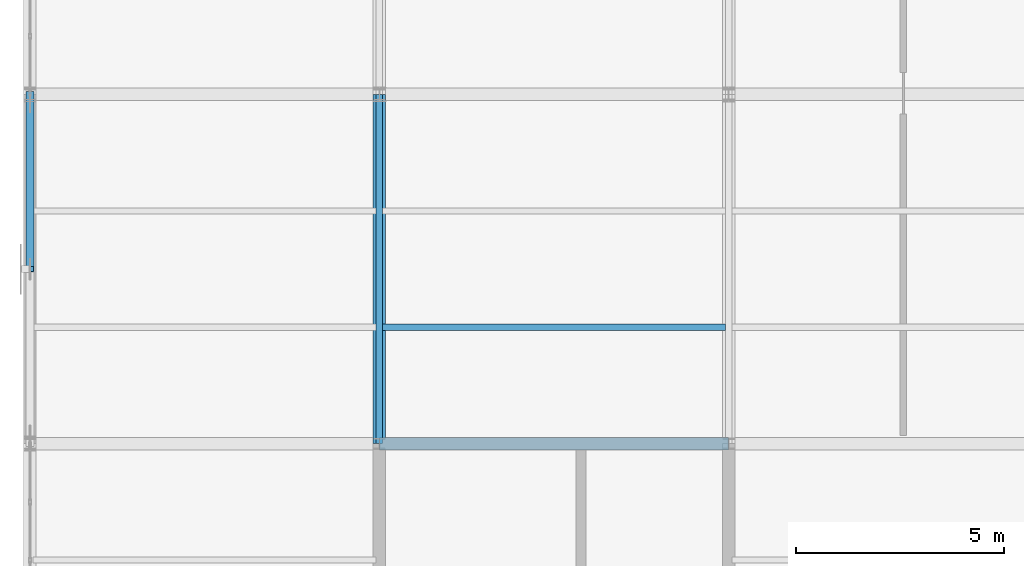
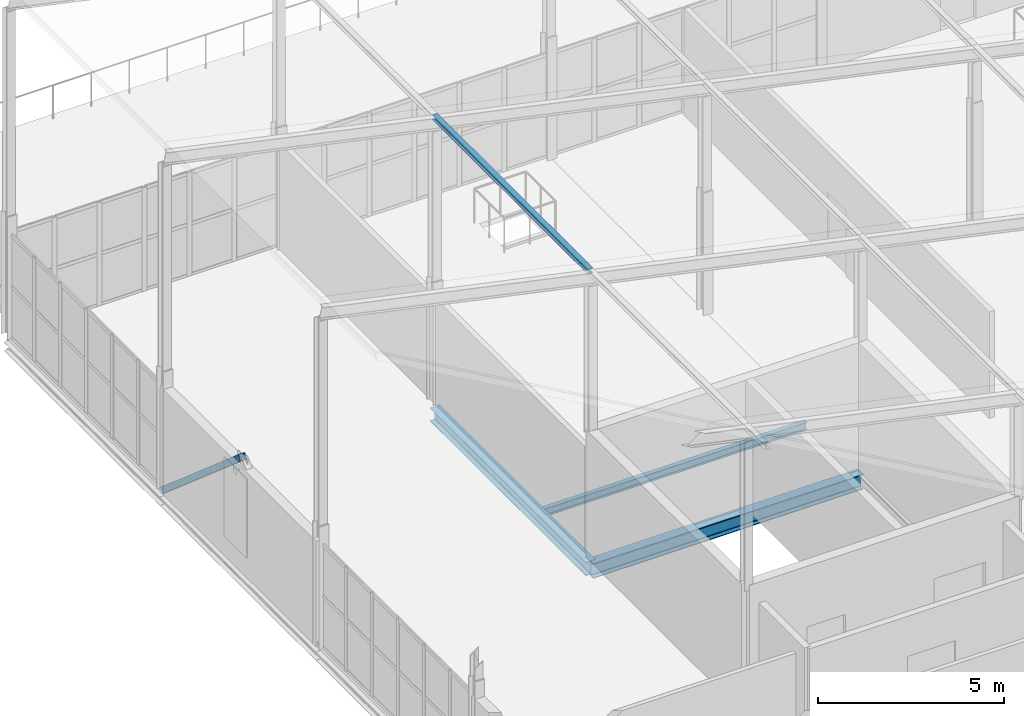
# One storey, part 103 of 184: 3 beams, 2 members.
"""IFC4 building model written with IfcOpenShell, lengths in metres."""

from ifc_helpers import new_model, si_unit, direction, frame, origin, origin_2d, place, context, subcontext, project, spatial, hollow_rectangle, i_section, extrude, material, material_profile, profile_set, type_object, element, save


model = new_model("IFC4")

# Units and contexts
model_context = context("Model", 3, precision=1e-05, world=origin(), true_north=direction((0.0, 1.0)))
body_context = subcontext(model_context, "Body", "Model", "MODEL_VIEW")
ifc_project = project(units=[si_unit("LENGTHUNIT", "METRE"), si_unit("AREAUNIT", "SQUARE_METRE"), si_unit("VOLUMEUNIT", "CUBIC_METRE"), si_unit("PLANEANGLEUNIT", "RADIAN"), si_unit("MASSUNIT", "GRAM", prefix="KILO")], contexts=[model_context])

# Site, building, storey
site_placement = place(None, origin())
site = spatial("IfcSite", under=ifc_project, at=site_placement, CompositionType="ELEMENT")
building_placement = place(site_placement, origin())
building = spatial("IfcBuilding", under=site, at=building_placement, Name="Qalvenar Corner Mobility Hub", CompositionType="ELEMENT")
storey_placement = place(building_placement, frame((0.0, 0.0, 9.0)))
storey = spatial("IfcBuildingStorey", under=building, at=storey_placement, Name="L02", CompositionType="ELEMENT", Elevation=9.0)

# Beams
ifc_material = material(Name="Steel S355", Category="steel")
ifc_material_profile_1 = material_profile(ifc_material, i_section(OverallWidth=0.300048828125, OverallDepth=0.43994140625, WebThickness=0.011474609375, FlangeThickness=0.02099609375, FilletRadius=0.027099609375, at=origin_2d()), Name="HEA450")
ifc_profile_set_1 = profile_set([ifc_material_profile_1], Name="Steel S355")
beam_type_1 = type_object("IfcBeamType", Name="BM-HEA450", PredefinedType="BEAM", material=ifc_profile_set_1)
beam_1_placement = place(storey_placement, frame((8.39990234375, 67.199951171875, -0.39990234375), z_axis=(0.0, 1.0, 0.0), x_axis=(-1.0, 0.0, 0.0)))
element("IfcBeam", 1, at=beam_1_placement, inside=storey, type_object=beam_type_1, Name="Primary Steel Girder GY-1847", PredefinedType="BEAM", context=body_context, shape_type="SweptSolid", body=[
    extrude(i_section(OverallWidth=0.300048828125, OverallDepth=0.43994140625, WebThickness=0.011474609375, FlangeThickness=0.02099609375, FilletRadius=0.027099609375, at=origin_2d()), origin(), (0.0, 0.0, 1.0), 8.400146484375),
])
ifc_material_profile_2 = material_profile(ifc_material, i_section(OverallWidth=0.300048828125, OverallDepth=0.489990234375, WebThickness=0.011962890625, FlangeThickness=0.02294921875, FilletRadius=0.027099609375, at=origin_2d()), Name="HEA500")
ifc_profile_set_2 = profile_set([ifc_material_profile_2], Name="Steel S355")
beam_type_2 = type_object("IfcBeamType", Name="BM-HEA500", PredefinedType="BEAM", material=ifc_profile_set_2)
beam_2_placement = place(storey_placement, frame((8.39990234375, 67.199951171875, -0.425048828125), z_axis=(1.0, 0.0, 0.0), x_axis=(0.0, 1.0, 0.0)))
element("IfcBeam", 2, at=beam_2_placement, inside=storey, type_object=beam_type_2, Name="Primary Steel Girder GX-1828", PredefinedType="BEAM", context=body_context, shape_type="SweptSolid", body=[
    extrude(i_section(OverallWidth=0.300048828125, OverallDepth=0.489990234375, WebThickness=0.011962890625, FlangeThickness=0.02294921875, FilletRadius=0.027099609375, at=origin_2d()), origin(), (0.0, 0.0, 1.0), 8.400146484375),
])
ifc_material_profile_3 = material_profile(ifc_material, i_section(OverallWidth=0.14599609375, OverallDepth=0.258056640625, WebThickness=0.006103515625, FlangeThickness=0.009033203125, FilletRadius=0.011962890625, at=origin_2d()), Name="W250x32.7")
ifc_profile_set_3 = profile_set([ifc_material_profile_3], Name="Steel S355")
beam_type_3 = type_object("IfcBeamType", Name="BM-JST250", PredefinedType="JOIST", material=ifc_profile_set_3)
beam_3_placement = place(storey_placement, frame((8.47802734375, 70.0, -0.30908203125), z_axis=(1.0, 0.0, 0.0), x_axis=(0.0, 1.0, 0.0)))
element("IfcBeam", 3, at=beam_3_placement, inside=storey, type_object=beam_type_3, Name="Composite Floor Joist J-1878", PredefinedType="JOIST", context=body_context, shape_type="SweptSolid", body=[
    extrude(i_section(OverallWidth=0.14599609375, OverallDepth=0.258056640625, WebThickness=0.006103515625, FlangeThickness=0.009033203125, FilletRadius=0.011962890625, at=origin_2d()), origin(), (0.0, 0.0, 1.0), 8.243896484375),
])

# Members
ifc_material_profile_4 = material_profile(ifc_material, hollow_rectangle(XDim=0.199951171875, YDim=0.199951171875, WallThickness=0.008056640625, InnerFilletRadius=0.008056640625, OuterFilletRadius=0.01611328125, at=origin_2d()), Name="SHS200x200x8")
ifc_profile_set_4 = profile_set([ifc_material_profile_4], Name="Steel S355")
member_type_1 = type_object("IfcMemberType", Name="BR-RHS200", PredefinedType="BRACE", material=ifc_profile_set_4)
member_1_placement = place(storey_placement, frame((0.0, 75.60009765625, 0.02001953125), z_axis=(0.0, -0.757497805166, 0.652837709672), x_axis=(1.0, 0.0, 0.0)))
element("IfcMember", 4, at=member_1_placement, inside=storey, type_object=member_type_1, Name="Chevron Lateral Brace BR-052", PredefinedType="BRACE", context=body_context, shape_type="SweptSolid", body=[
    extrude(hollow_rectangle(XDim=0.199951171875, YDim=0.199951171875, WallThickness=0.008056640625, InnerFilletRadius=0.008056640625, OuterFilletRadius=0.01611328125, at=origin_2d()), origin(), (0.0, 0.0, 1.0), 5.544921875),
])
ifc_material_profile_5 = material_profile(ifc_material, i_section(OverallWidth=0.159912109375, OverallDepth=0.159912109375, WebThickness=0.008056640625, FlangeThickness=0.012939453125, FilletRadius=0.014892578125, at=origin_2d()), Name="HEB160")
ifc_profile_set_5 = profile_set([ifc_material_profile_5], Name="Steel S355")
member_type_2 = type_object("IfcMemberType", Name="PR-RHS160", PredefinedType="PURLIN", material=ifc_profile_set_5)
member_2_placement = place(storey_placement, frame((8.39990234375, 67.199951171875, 9.35009765625), z_axis=(0.0, 1.0, 0.0), x_axis=(-1.0, 0.0, 0.0)))
element("IfcMember", 5, at=member_2_placement, inside=storey, type_object=member_type_2, Name="Bicycle Hall Roof Purlin PR-V5-4-8", PredefinedType="PURLIN", context=body_context, shape_type="SweptSolid", body=[
    extrude(i_section(OverallWidth=0.159912109375, OverallDepth=0.159912109375, WebThickness=0.008056640625, FlangeThickness=0.012939453125, FilletRadius=0.014892578125, at=origin_2d()), origin(), (0.0, 0.0, 1.0), 8.400146484375),
])

save(model, "model.ifc")
